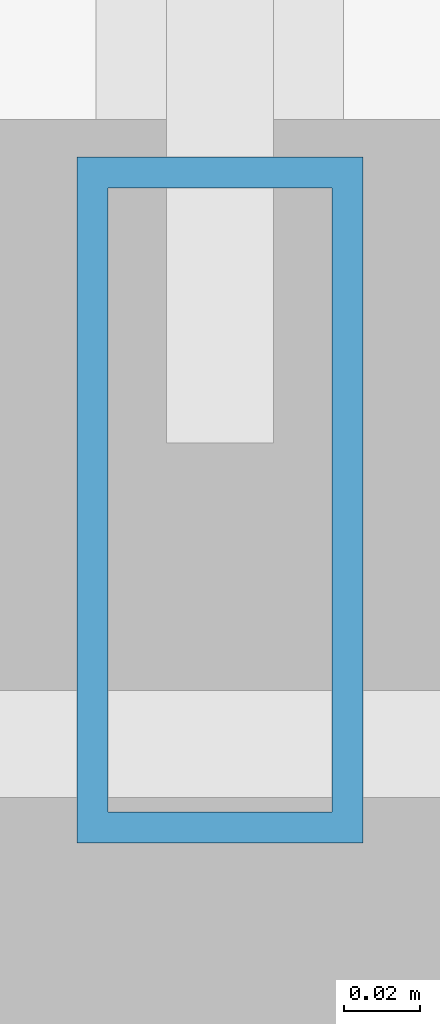
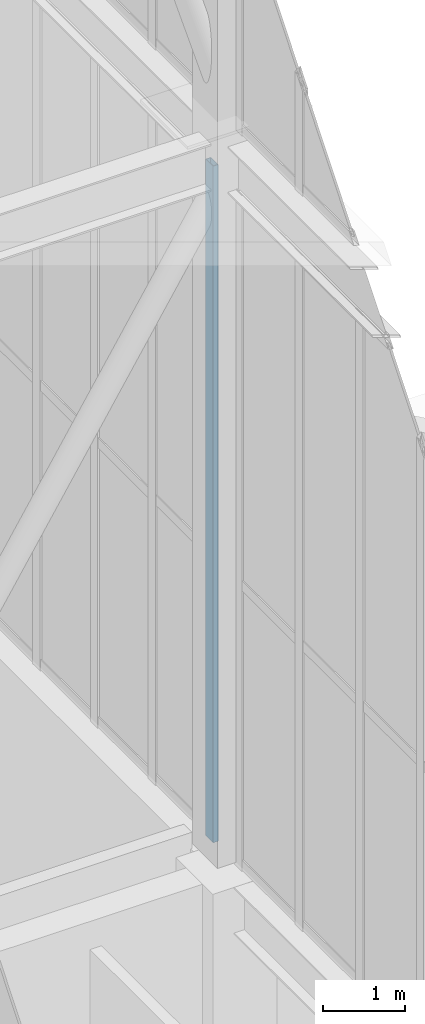
# One storey, part 85 of 135: 1 member, 1 element without a shape of its own.
"""IFC4 building model written with IfcOpenShell, lengths in metres."""

from ifc_helpers import new_model, si_unit, direction, frame, origin, origin_2d, place, context, subcontext, project, spatial, hollow_rectangle, extrude, source, transform, mapped, material, layer, layer_set, material_profile, profile_set, type_object, element, aggregate, save


model = new_model("IFC4")

# Units and contexts
model_context = context("Model", 3, precision=1e-05, world=origin(), true_north=direction((0.0, 1.0)))
body_context = subcontext(model_context, "Body", "Model", "MODEL_VIEW")
ifc_project = project(units=[si_unit("LENGTHUNIT", "METRE"), si_unit("AREAUNIT", "SQUARE_METRE"), si_unit("VOLUMEUNIT", "CUBIC_METRE"), si_unit("PLANEANGLEUNIT", "RADIAN"), si_unit("MASSUNIT", "GRAM", prefix="KILO")], contexts=[model_context])

# Site, building, storey
site_placement = place(None, origin())
site = spatial("IfcSite", under=ifc_project, at=site_placement, CompositionType="ELEMENT")
building_placement = place(site_placement, origin())
building = spatial("IfcBuilding", under=site, at=building_placement, Name="Giltprow Tower", CompositionType="ELEMENT")
storey_placement = place(building_placement, frame((0.0, 0.0, 352.699951171875)))
storey = spatial("IfcBuildingStorey", under=building, at=storey_placement, Name="L92", CompositionType="ELEMENT", Elevation=352.699951171875)

# Curtain wall, member
ifc_material = material(Name="Anodized bronze", Category="metal")
ifc_layer = layer(ifc_material, 0.179931640625, Name="Anodized bronze")
ifc_layer_set = layer_set([ifc_layer], Name="Anodized bronze")
curtain_wall_type = type_object("IfcCurtainWallType", Name="CW-CROWN-LANTERN", PredefinedType="NOTDEFINED", material=ifc_layer_set)
curtain_wall_placement = place(storey_placement, origin())
curtain_wall = element("IfcCurtainWall", 1, at=curtain_wall_placement, inside=storey, type_object=curtain_wall_type, Name="Crown East Lower Lantern Glazing 3", PredefinedType="NOTDEFINED")
ifc_material_profile = material_profile(ifc_material, hollow_rectangle(XDim=0.074951171875, YDim=0.179931640625, WallThickness=0.008056640625, at=origin_2d()), Name="RHS 180x75x8")
ifc_profile_set = profile_set([ifc_material_profile], Name="Anodized bronze")
member_type = type_object("IfcMemberType", Name="CW-MULLION-180x75", PredefinedType="MULLION", material=ifc_profile_set)
shared_shape = source(origin(), body_context, "Body", "SweptSolid", [
    extrude(hollow_rectangle(XDim=0.074951171875, YDim=0.179931640625, WallThickness=0.008056640625, at=origin_2d()), origin(), (0.0, 0.0, 1.0), 10.030029296875),
])
member_placement = place(storey_placement, frame((50.550048828125, 37.800048828125, 6.35009765625), z_axis=(0.0, 0.0, 1.0), x_axis=(1.0, 0.0, 0.0)))
member = element("IfcMember", 2, at=member_placement, type_object=member_type, Name="Crown East Lower Lantern Glazing 3 Mullion 1", PredefinedType="MULLION", context=body_context, shape_type="MappedRepresentation", body=[
    mapped(shared_shape, transform((0.0, 0.0, 0.0), x_axis=(1.0, 0.0, 0.0), y_axis=(0.0, 1.0, 0.0), z_axis=(0.0, 0.0, 1.0), scale=1.0)),
])
aggregate(curtain_wall, [member])

save(model, "model.ifc")
